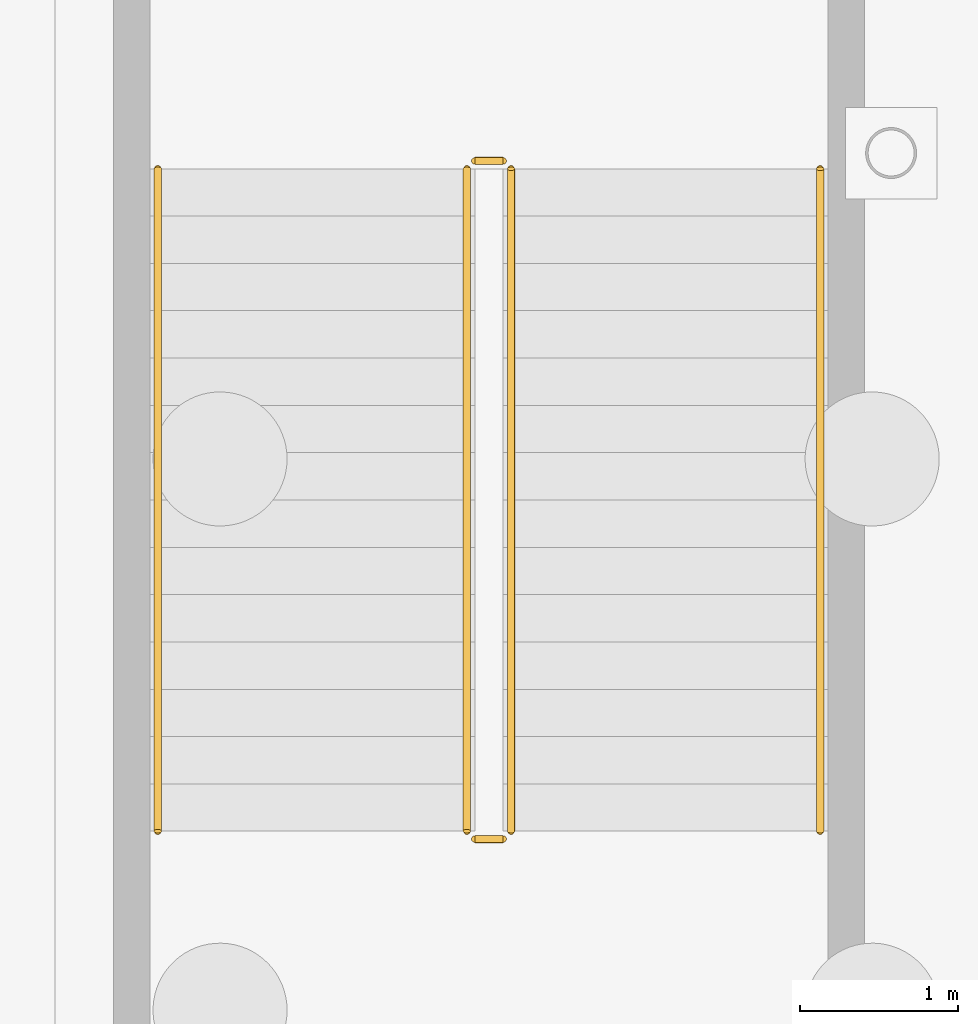
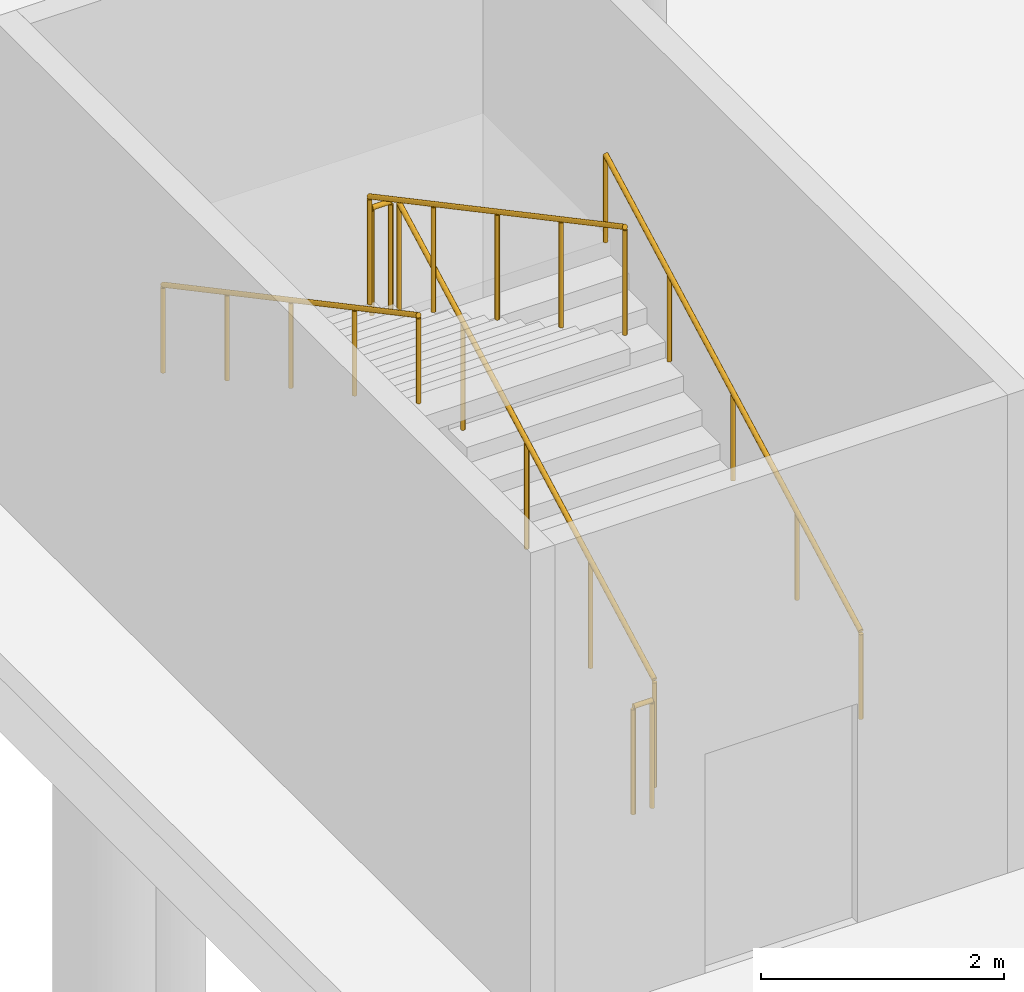
# One storey, part 95 of 101: 6 railings.
"""IFC4 building model written with IfcOpenShell, lengths in metres."""

from ifc_helpers import new_model, si_unit, derived_unit, direction, frame, origin, origin_2d, place, context, subcontext, project, spatial, circle, extrude, material, type_object, element, save


model = new_model("IFC4")

# Units and contexts
model_context = context("Model", 3, precision=1e-05, world=origin(), true_north=direction((0.0, 1.0)))
body_context = subcontext(model_context, "Body", "Model", "MODEL_VIEW")
ifc_project = project(units=[si_unit("LENGTHUNIT", "METRE"), si_unit("AREAUNIT", "SQUARE_METRE"), si_unit("VOLUMEUNIT", "CUBIC_METRE"), si_unit("PLANEANGLEUNIT", "RADIAN"), si_unit("MASSUNIT", "GRAM", prefix="KILO"), derived_unit("THERMALTRANSMITTANCEUNIT", [(si_unit("POWERUNIT", "WATT"), 1), (si_unit("LENGTHUNIT", "METRE"), -2), (si_unit("THERMODYNAMICTEMPERATUREUNIT", "KELVIN"), -1)])], contexts=[model_context])

# Site, building, storey
site_placement = place(None, origin())
site = spatial("IfcSite", under=ifc_project, at=site_placement, CompositionType="ELEMENT")
building_placement = place(site_placement, origin())
building = spatial("IfcBuilding", under=site, at=building_placement, Name="Keldorne Ridge Multi-Sports Centre", CompositionType="ELEMENT")
storey_placement = place(building_placement, origin())
storey = spatial("IfcBuildingStorey", under=building, at=storey_placement, Name="L00", CompositionType="ELEMENT", Elevation=0.0)

# Railings
ifc_material_1 = material(Name="Laminated glass and stainless steel", Category="steel")
railing_type_1 = type_object("IfcRailingType", Name="RLG-BL-01", PredefinedType="BALUSTRADE", material=ifc_material_1)
railing_1_placement = place(storey_placement, frame((81.590087890625, 93.699951171875, 0.159912109375)))
element("IfcRailing", 1, at=railing_1_placement, inside=storey, type_object=railing_type_1, Name="L00 ST-08 stair guard 1", PredefinedType="BALUSTRADE", context=body_context, shape_type="SweptSolid", body=[
    extrude(circle(Radius=0.02392578125, at=origin_2d()), frame((0.0, 0.0, 1.076171875), z_axis=(0.0, 0.882351521365, 0.470590897432), x_axis=(-1.0, 0.0, 0.0)), (0.0, 0.0, 1.0), 4.760009765625),
    extrude(circle(Radius=0.02099609375, at=origin_2d()), origin(), (0.0, 0.0, 1.0), 1.052001953125),
    extrude(circle(Radius=0.02099609375, at=origin_2d()), frame((0.0, 1.050048828125, 0.56005859375)), (0.0, 0.0, 1.0), 1.052001953125),
    extrude(circle(Radius=0.02099609375, at=origin_2d()), frame((0.0, 2.10009765625, 1.1201171875)), (0.0, 0.0, 1.0), 1.052001953125),
    extrude(circle(Radius=0.02099609375, at=origin_2d()), frame((0.0, 3.14990234375, 1.679931640625)), (0.0, 0.0, 1.0), 1.052001953125),
    extrude(circle(Radius=0.02099609375, at=origin_2d()), frame((0.0, 4.199951171875, 2.239990234375)), (0.0, 0.0, 1.0), 1.052001953125),
])
railing_2_placement = place(storey_placement, frame((81.5400390625, 97.949951171875, 2.39990234375)))
element("IfcRailing", 2, at=railing_2_placement, inside=storey, type_object=railing_type_1, Name="L00 ST-08 stair guard 2", PredefinedType="BALUSTRADE", context=body_context, shape_type="SweptSolid", body=[
    extrude(circle(Radius=0.02392578125, at=origin_2d()), frame((0.0, 0.0, 1.076171875), z_axis=(-1.0, 0.0, 0.0), x_axis=(0.0, -1.0, 0.0)), (0.0, 0.0, 1.0), 0.179931640625),
    extrude(circle(Radius=0.02099609375, at=origin_2d()), origin(), (0.0, 0.0, 1.0), 1.052001953125),
    extrude(circle(Radius=0.02099609375, at=origin_2d()), frame((-0.179931640625, 0.0, 0.0)), (0.0, 0.0, 1.0), 1.052001953125),
])
railing_3_placement = place(storey_placement, frame((81.31005859375, 97.89990234375, 2.56005859375)))
element("IfcRailing", 3, at=railing_3_placement, inside=storey, type_object=railing_type_1, Name="L00 ST-08 stair guard 3", PredefinedType="BALUSTRADE", context=body_context, shape_type="SweptSolid", body=[
    extrude(circle(Radius=0.02392578125, at=origin_2d()), frame((0.0, 0.0, 1.076171875), z_axis=(0.0, -0.882351521365, 0.470590897432), x_axis=(1.0, 0.0, 0.0)), (0.0, 0.0, 1.0), 4.760009765625),
    extrude(circle(Radius=0.02099609375, at=origin_2d()), origin(), (0.0, 0.0, 1.0), 1.052001953125),
    extrude(circle(Radius=0.02099609375, at=origin_2d()), frame((0.0, -1.050048828125, 0.56005859375)), (0.0, 0.0, 1.0), 1.052001953125),
    extrude(circle(Radius=0.02099609375, at=origin_2d()), frame((0.0, -2.10009765625, 1.1201171875)), (0.0, 0.0, 1.0), 1.052001953125),
    extrude(circle(Radius=0.02099609375, at=origin_2d()), frame((0.0, -3.14990234375, 1.679931640625)), (0.0, 0.0, 1.0), 1.052001953125),
    extrude(circle(Radius=0.02099609375, at=origin_2d()), frame((0.0, -4.199951171875, 2.239990234375)), (0.0, 0.0, 1.0), 1.052001953125),
])
railing_4_placement = place(storey_placement, frame((81.5400390625, 93.64990234375, 0.0)))
element("IfcRailing", 4, at=railing_4_placement, inside=storey, type_object=railing_type_1, Name="L00 ST-08 stair guard 4", PredefinedType="BALUSTRADE", context=body_context, shape_type="SweptSolid", body=[
    extrude(circle(Radius=0.02392578125, at=origin_2d()), frame((0.0, 0.0, 1.076171875), z_axis=(-1.0, 0.0, 0.0), x_axis=(0.0, -1.0, 0.0)), (0.0, 0.0, 1.0), 0.179931640625),
    extrude(circle(Radius=0.02099609375, at=origin_2d()), origin(), (0.0, 0.0, 1.0), 1.052001953125),
    extrude(circle(Radius=0.02099609375, at=origin_2d()), frame((-0.179931640625, 0.0, 0.0)), (0.0, 0.0, 1.0), 1.052001953125),
])
ifc_material_2 = material(Name="Stainless steel", Category="steel")
railing_type_2 = type_object("IfcRailingType", Name="RLG-HR-01", PredefinedType="HANDRAIL", material=ifc_material_2)
railing_5_placement = place(storey_placement, frame((83.550048828125, 93.699951171875, 0.159912109375)))
element("IfcRailing", 5, at=railing_5_placement, inside=storey, type_object=railing_type_2, Name="L00 ST-08 stair handrail 1", PredefinedType="HANDRAIL", context=body_context, shape_type="SweptSolid", body=[
    extrude(circle(Radius=0.02392578125, at=origin_2d()), frame((0.0, 0.0, 0.8759765625), z_axis=(0.0, 0.882351521365, 0.470590897432), x_axis=(-1.0, 0.0, 0.0)), (0.0, 0.0, 1.0), 4.760009765625),
    extrude(circle(Radius=0.02099609375, at=origin_2d()), origin(), (0.0, 0.0, 1.0), 0.851806640625),
    extrude(circle(Radius=0.02099609375, at=origin_2d()), frame((0.0, 1.050048828125, 0.56005859375)), (0.0, 0.0, 1.0), 0.851806640625),
    extrude(circle(Radius=0.02099609375, at=origin_2d()), frame((0.0, 2.10009765625, 1.1201171875)), (0.0, 0.0, 1.0), 0.851806640625),
    extrude(circle(Radius=0.02099609375, at=origin_2d()), frame((0.0, 3.14990234375, 1.679931640625)), (0.0, 0.0, 1.0), 0.851806640625),
    extrude(circle(Radius=0.02099609375, at=origin_2d()), frame((0.0, 4.199951171875, 2.239990234375)), (0.0, 0.0, 1.0), 0.851806640625),
])
railing_6_placement = place(storey_placement, frame((79.35009765625, 97.89990234375, 2.56005859375)))
element("IfcRailing", 6, at=railing_6_placement, inside=storey, type_object=railing_type_2, Name="L00 ST-08 stair handrail 2", PredefinedType="HANDRAIL", context=body_context, shape_type="SweptSolid", body=[
    extrude(circle(Radius=0.02392578125, at=origin_2d()), frame((0.0, 0.0, 0.8759765625), z_axis=(0.0, -0.882351521365, 0.470590897432), x_axis=(1.0, 0.0, 0.0)), (0.0, 0.0, 1.0), 4.760009765625),
    extrude(circle(Radius=0.02099609375, at=origin_2d()), origin(), (0.0, 0.0, 1.0), 0.851806640625),
    extrude(circle(Radius=0.02099609375, at=origin_2d()), frame((0.0, -1.050048828125, 0.56005859375)), (0.0, 0.0, 1.0), 0.851806640625),
    extrude(circle(Radius=0.02099609375, at=origin_2d()), frame((0.0, -2.10009765625, 1.1201171875)), (0.0, 0.0, 1.0), 0.851806640625),
    extrude(circle(Radius=0.02099609375, at=origin_2d()), frame((0.0, -3.14990234375, 1.679931640625)), (0.0, 0.0, 1.0), 0.851806640625),
    extrude(circle(Radius=0.02099609375, at=origin_2d()), frame((0.0, -4.199951171875, 2.239990234375)), (0.0, 0.0, 1.0), 0.851806640625),
])

save(model, "model.ifc")
